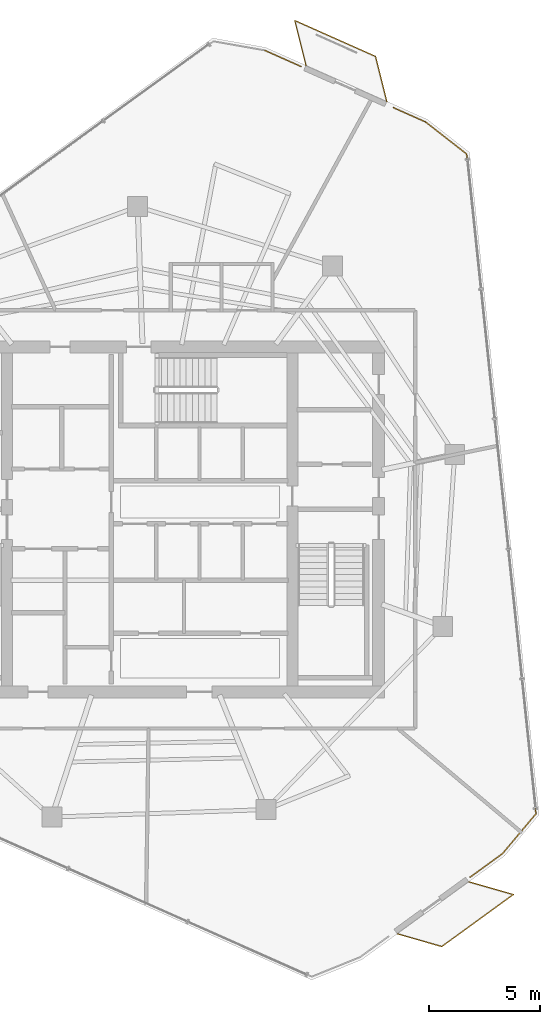
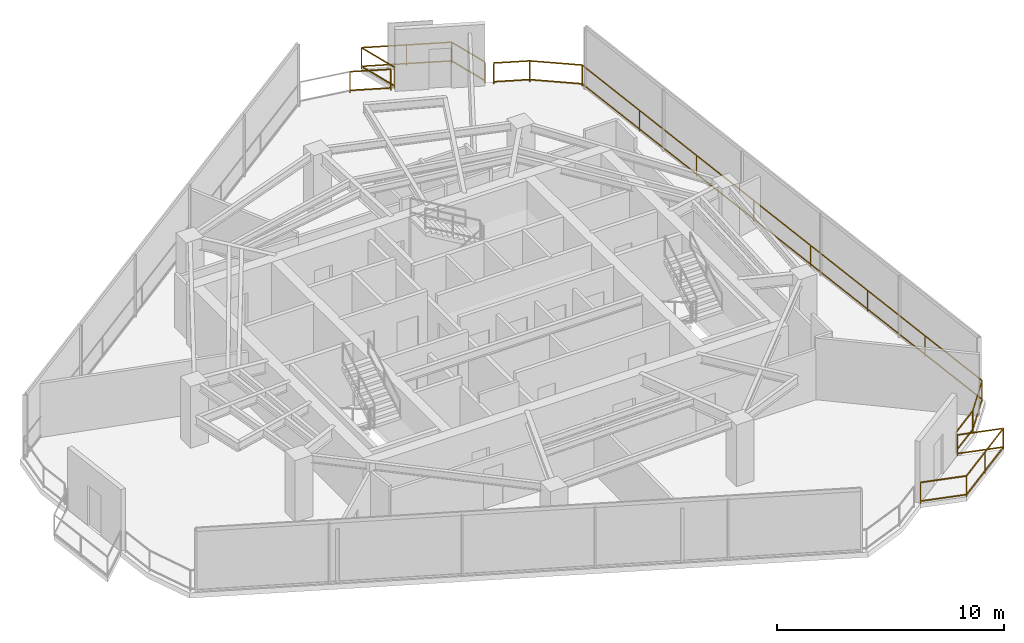
# One storey, part 20 of 20: 4 railings.
"""IFC4 building model written with IfcOpenShell, lengths in metres."""

import ifcopenshell
import ifcopenshell.guid

model = None  # the IFC model being written
_history = None  # IfcOwnerHistory: only IFC2X3 demands one
_inside = {}  # id of a spatial element -> (the spatial element, [elements in it])
_under = {}  # id of a project, library or spatial element -> (it, [spatial elements below it])
_declared = {}  # id of a project -> (the project, [libraries it declares])
_typed = {}  # id of a type object -> (the type object, [elements of that type])
_made_of = {}  # id of a material, layer set ... -> (it, [elements and type objects made of it])


def new_model(schema):
    """Start an empty IFC model of exactly this schema.

    Asked for "IFC4X3", IfcOpenShell would pick the latest addendum, in which some entities
    have other attributes; the version numbers below select the first issue.
    IFC2X3 requires an IfcOwnerHistory on every rooted entity: one is made here for all.
    """
    global model, _history
    if schema == "IFC4X3":
        model = ifcopenshell.file(schema_version=(4, 3, 0, 0))
    else:
        model = ifcopenshell.file(schema=schema)
    _inside.clear()
    _under.clear()
    _declared.clear()
    _typed.clear()
    _made_of.clear()
    _history = None
    if model.schema == "IFC2X3":
        org = make("IfcOrganization", Name="unknown")
        user = make(
            "IfcPersonAndOrganization",
            ThePerson=make("IfcPerson", FamilyName="unknown"),
            TheOrganization=org,
        )
        app = make(
            "IfcApplication",
            ApplicationDeveloper=org,
            Version="unknown",
            ApplicationFullName="unknown",
            ApplicationIdentifier="unknown",
        )
        _history = make(
            "IfcOwnerHistory",
            OwningUser=user,
            OwningApplication=app,
            ChangeAction="ADDED",
            CreationDate=0,
        )
    return model


def make(cls, **values):
    """One entity of the class cls with the attributes given. An attribute that is None is left unset."""
    return model.create_entity(
        cls, **{name: value for name, value in values.items() if value is not None}
    )


def rooted(cls, **values):
    """An entity with a GlobalId (a new one), such as an element, a storey or a relation."""
    return make(cls, GlobalId=ifcopenshell.guid.new(), OwnerHistory=_history, **values)


def si_unit(unit_type, name, prefix=None):
    """IfcSIUnit, for example si_unit("LENGTHUNIT", "METRE", prefix="MILLI")."""
    return make("IfcSIUnit", UnitType=unit_type, Prefix=prefix, Name=name)


def assignment(units):
    """IfcUnitAssignment: the units of a project."""
    return None if units is None else make("IfcUnitAssignment", Units=units)


def point(xyz):
    """IfcCartesianPoint."""
    return None if xyz is None else make("IfcCartesianPoint", Coordinates=xyz)


def direction(xyz):
    """IfcDirection."""
    return None if xyz is None else make("IfcDirection", DirectionRatios=xyz)


def frame(location, z_axis=None, x_axis=None):
    """IfcAxis2Placement3D, a coordinate frame: its origin and axes. An axis left out is left unset."""
    return make(
        "IfcAxis2Placement3D",
        Location=point(location),
        Axis=direction(z_axis),
        RefDirection=direction(x_axis),
    )


def frame_2d(location, x_axis=None):
    """IfcAxis2Placement2D, a coordinate frame in the plane: its origin and x axis."""
    return make(
        "IfcAxis2Placement2D", Location=point(location), RefDirection=direction(x_axis)
    )


def origin():
    """The frame at (0, 0, 0) with its axes left unset."""
    return frame((0.0, 0.0, 0.0))


def origin_2d():
    """The frame at (0, 0) in the plane with its x axis left unset."""
    return frame_2d((0.0, 0.0))


def place(relative_to, where):
    """IfcLocalPlacement: puts the frame where relative to a parent placement (None: the world)."""
    return make(
        "IfcLocalPlacement", PlacementRelTo=relative_to, RelativePlacement=where
    )


def context(
    kind, dimensions, precision=None, world=None, true_north=None, identifier=None
):
    """IfcGeometricRepresentationContext, for example the 3D "Model" context."""
    return make(
        "IfcGeometricRepresentationContext",
        ContextIdentifier=identifier,
        ContextType=kind,
        CoordinateSpaceDimension=dimensions,
        Precision=precision,
        WorldCoordinateSystem=world,
        TrueNorth=true_north,
    )


def subcontext(parent, identifier, kind, view, scale=None):
    """IfcGeometricRepresentationSubContext, for example "Body" below "Model"."""
    return make(
        "IfcGeometricRepresentationSubContext",
        ContextIdentifier=identifier,
        ContextType=kind,
        ParentContext=parent,
        TargetScale=scale,
        TargetView=view,
    )


def project(units=None, contexts=None):
    """IfcProject with its units and contexts."""
    return rooted(
        "IfcProject",
        Name="project",
        RepresentationContexts=contexts,
        UnitsInContext=assignment(units),
    )


def spatial(cls, under=None, at=None, **own):
    """A site, building, storey or space (cls), placed at a placement, below another one or the project."""
    s = rooted(cls, ObjectPlacement=at, **own)
    if under is not None:
        _under.setdefault(under.id(), (under, []))[1].append(s)
    return s


def profile(cls, at=None, kind="AREA", **sizes):
    """A parametric profile (cls). Its sizes go by their IFC names, for example OverallWidth=200.0."""
    return make(cls, ProfileType=kind, Position=at, **sizes)


def rectangle(**sizes):
    """IfcRectangleProfileDef."""
    return profile("IfcRectangleProfileDef", **sizes)


def extrude(swept, where, along, depth):
    """IfcExtrudedAreaSolid: the profile swept, set in the frame where, extruded along a direction by depth."""
    return make(
        "IfcExtrudedAreaSolid",
        SweptArea=swept,
        Position=where,
        ExtrudedDirection=direction(along),
        Depth=depth,
    )


def shape(context_of_items, identifier, shape_type, items):
    """IfcShapeRepresentation: the items that make up one representation, for example the "Body"."""
    return make(
        "IfcShapeRepresentation",
        ContextOfItems=context_of_items,
        RepresentationIdentifier=identifier,
        RepresentationType=shape_type,
        Items=items,
    )


def material(Name=None, Category=None):
    """IfcMaterial."""
    return make("IfcMaterial", Name=Name, Category=Category)


def made_of(thing, what):
    """Note that an element or type object is made of a material, layer set ...; save() writes the relation."""
    if what is not None:
        _made_of.setdefault(what.id(), (what, []))[1].append(thing)
    return thing


def type_object(cls, material=None, **own):
    """A type object (cls), such as IfcWallType, which elements share."""
    return made_of(rooted(cls, **own), material)


def element(
    cls,
    number,
    at=None,
    inside=None,
    cuts=None,
    type_object=None,
    material=None,
    context=None,
    identifier="Body",
    shape_type=None,
    held_by="IfcProductDefinitionShape",
    body=None,
    shapes=None,
    **own,
):
    """One element of the class cls, such as IfcWall. Its Tag is "e" and its number.

    at: its placement. inside: the storey or other place that contains it. cuts: it is an
    opening in that element (IfcRelVoidsElement). A single representation is given by context,
    identifier, shape_type and body (its items); several are given by shapes. held_by: the class
    of the entity that holds the representations. save() writes the other relations.
    """
    e = rooted(cls, Tag="e%d" % number, ObjectPlacement=at, **own)
    if body is not None:
        shapes = [shape(context, identifier, shape_type, body)]
    if shapes is not None:
        e.Representation = make(held_by, Representations=shapes)
    if inside is not None:
        _inside.setdefault(inside.id(), (inside, []))[1].append(e)
    if cuts is not None:
        rooted(
            "IfcRelVoidsElement", RelatingBuildingElement=cuts, RelatedOpeningElement=e
        )
    if type_object is not None:
        _typed.setdefault(type_object.id(), (type_object, []))[1].append(e)
    return made_of(e, material)


def aggregate(whole, parts):
    """IfcRelAggregates: a whole, such as a stair, and the parts it consists of."""
    return rooted("IfcRelAggregates", RelatingObject=whole, RelatedObjects=parts)


def save(model, path):
    """Write the relations noted so far, then the file.

    IfcRelAggregates (storeys below a building ...), IfcRelContainedInSpatialStructure (elements
    in a storey), IfcRelDefinesByType, IfcRelAssociatesMaterial and IfcRelDeclares: one each for
    every whole, place, type object, material and project.
    """
    for whole, parts in _under.values():
        aggregate(whole, parts)
    for where, things in _inside.values():
        rooted(
            "IfcRelContainedInSpatialStructure",
            RelatedElements=things,
            RelatingStructure=where,
        )
    for kind, things in _typed.values():
        rooted("IfcRelDefinesByType", RelatedObjects=things, RelatingType=kind)
    for what, things in _made_of.values():
        rooted("IfcRelAssociatesMaterial", RelatedObjects=things, RelatingMaterial=what)
    for by, libraries in _declared.values():
        rooted("IfcRelDeclares", RelatingContext=by, RelatedDefinitions=libraries)
    model.write(path)


model = new_model("IFC4")

# Units and contexts
model_context = context("Model", 3, precision=1e-05, world=origin(), true_north=direction((0.0, 1.0)))
body_context = subcontext(model_context, "Body", "Model", "MODEL_VIEW")
ifc_project = project(units=[si_unit("LENGTHUNIT", "METRE"), si_unit("AREAUNIT", "SQUARE_METRE"), si_unit("VOLUMEUNIT", "CUBIC_METRE"), si_unit("PLANEANGLEUNIT", "RADIAN"), si_unit("MASSUNIT", "GRAM", prefix="KILO")], contexts=[model_context])

# Site, building, storey
site_placement = place(None, origin())
site = spatial("IfcSite", under=ifc_project, at=site_placement, CompositionType="ELEMENT")
building_placement = place(site_placement, origin())
building = spatial("IfcBuilding", under=site, at=building_placement, Name="Qarnah Convention Tower", CompositionType="ELEMENT")
storey_placement = place(building_placement, frame((0.0, 0.0, 202.199951171875)))
storey = spatial("IfcBuildingStorey", under=building, at=storey_placement, Name="L54", CompositionType="ELEMENT", Elevation=202.199951171875)

# Railings
ifc_material = material(Name="Black anodised aluminium", Category="aluminium")
railing_type = type_object("IfcRailingType", Name="RL-EXT-GUARD-1150", PredefinedType="GUARDRAIL", material=ifc_material)
railing_1_placement = place(storey_placement, frame((42.449951171875, 47.60595703125, 0.0)))
element("IfcRailing", 1, at=railing_1_placement, inside=storey, type_object=railing_type, Name="L54 slab-edge perimeter safety guard 01", PredefinedType="GUARDRAIL", context=body_context, shape_type="SweptSolid", body=[
    extrude(rectangle(XDim=0.048095703125, YDim=0.048095703125, at=origin_2d()), frame((0.0, 0.0, 1.1259765625), z_axis=(0.913689013524, -0.406414058032, 0.0), x_axis=(0.406414058032, 0.913689013524, 0.0)), (0.0, 0.0, 1.0), 1.80810546875),
    extrude(rectangle(XDim=0.048095703125, YDim=0.048095703125, at=origin_2d()), frame((0.0, 0.0, 0.1201171875), z_axis=(0.913689013524, -0.406414058032, 0.0), x_axis=(0.406414058032, 0.913689013524, 0.0)), (0.0, 0.0, 1.0), 1.80810546875),
    extrude(rectangle(XDim=0.0419921875, YDim=0.0419921875, at=origin_2d()), origin(), (0.0, 0.0, 1.0), 1.101806640625),
    extrude(rectangle(XDim=0.0419921875, YDim=0.0419921875, at=origin_2d()), frame((1.652099609375, -0.73486328125, 0.0)), (0.0, 0.0, 1.0), 1.101806640625),
])
railing_2_placement = place(storey_placement, frame((48.26611328125, 45.01708984375, 0.0)))
element("IfcRailing", 2, at=railing_2_placement, inside=storey, type_object=railing_type, Name="L54 slab-edge perimeter safety guard 02", PredefinedType="GUARDRAIL", context=body_context, shape_type="SweptSolid", body=[
    extrude(rectangle(XDim=0.048095703125, YDim=0.048095703125, at=origin_2d()), frame((0.0, 0.0, 1.1259765625), z_axis=(0.913312648103, -0.407259139634, 0.0), x_axis=(0.407259139634, 0.913312648103, 0.0)), (0.0, 0.0, 1.0), 1.596435546875),
    extrude(rectangle(XDim=0.048095703125, YDim=0.048095703125, at=origin_2d()), frame((0.0, 0.0, 0.1201171875), z_axis=(0.913312648103, -0.407259139634, 0.0), x_axis=(0.407259139634, 0.913312648103, 0.0)), (0.0, 0.0, 1.0), 1.596435546875),
    extrude(rectangle(XDim=0.048095703125, YDim=0.048095703125, at=origin_2d()), frame((1.4580078125, -0.650146484375, 1.1259765625), z_axis=(0.788277709576, -0.615319634487, 0.0), x_axis=(0.615319634487, 0.788277709576, 0.0)), (0.0, 0.0, 1.0), 2.3515625),
    extrude(rectangle(XDim=0.048095703125, YDim=0.048095703125, at=origin_2d()), frame((1.4580078125, -0.650146484375, 0.1201171875), z_axis=(0.788277709576, -0.615319634487, 0.0), x_axis=(0.615319634487, 0.788277709576, 0.0)), (0.0, 0.0, 1.0), 2.3515625),
    extrude(rectangle(XDim=0.048095703125, YDim=0.048095703125, at=origin_2d()), frame((3.311767578125, -2.09716796875, 1.1259765625), z_axis=(0.10452757809, -0.994521988404, 0.0), x_axis=(0.994521988404, 0.10452757809, 0.0)), (0.0, 0.0, 1.0), 29.9921875),
    extrude(rectangle(XDim=0.048095703125, YDim=0.048095703125, at=origin_2d()), frame((3.311767578125, -2.09716796875, 0.1201171875), z_axis=(0.10452757809, -0.994521988404, 0.0), x_axis=(0.994521988404, 0.10452757809, 0.0)), (0.0, 0.0, 1.0), 29.9921875),
    extrude(rectangle(XDim=0.048095703125, YDim=0.048095703125, at=origin_2d()), frame((6.44677734375, -31.925048828125, 1.1259765625), z_axis=(-0.642968053263, -0.765892996758, 0.0), x_axis=(0.765892996758, -0.642968053263, 0.0)), (0.0, 0.0, 1.0), 2.3515625),
    extrude(rectangle(XDim=0.048095703125, YDim=0.048095703125, at=origin_2d()), frame((6.44677734375, -31.925048828125, 0.1201171875), z_axis=(-0.642968053263, -0.765892996758, 0.0), x_axis=(0.765892996758, -0.642968053263, 0.0)), (0.0, 0.0, 1.0), 2.3515625),
    extrude(rectangle(XDim=0.048095703125, YDim=0.048095703125, at=origin_2d()), frame((4.934814453125, -33.72607421875, 1.1259765625), z_axis=(-0.808981221768, -0.587834485911, 0.0), x_axis=(0.587834485911, -0.808981221768, 0.0)), (0.0, 0.0, 1.0), 1.808349609375),
    extrude(rectangle(XDim=0.048095703125, YDim=0.048095703125, at=origin_2d()), frame((4.934814453125, -33.72607421875, 0.1201171875), z_axis=(-0.808981221768, -0.587834485911, 0.0), x_axis=(0.587834485911, -0.808981221768, 0.0)), (0.0, 0.0, 1.0), 1.808349609375),
    extrude(rectangle(XDim=0.0419921875, YDim=0.0419921875, at=origin_2d()), origin(), (0.0, 0.0, 1.0), 1.101806640625),
    extrude(rectangle(XDim=0.0419921875, YDim=0.0419921875, at=origin_2d()), frame((1.4580078125, -0.650146484375, 0.0)), (0.0, 0.0, 1.0), 1.101806640625),
    extrude(rectangle(XDim=0.0419921875, YDim=0.0419921875, at=origin_2d()), frame((3.311767578125, -2.09716796875, 0.0)), (0.0, 0.0, 1.0), 1.101806640625),
    extrude(rectangle(XDim=0.0419921875, YDim=0.0419921875, at=origin_2d()), frame((3.759521484375, -6.3583984375, 0.0)), (0.0, 0.0, 1.0), 1.101806640625),
    extrude(rectangle(XDim=0.0419921875, YDim=0.0419921875, at=origin_2d()), frame((4.20751953125, -10.619384765625, 0.0)), (0.0, 0.0, 1.0), 1.101806640625),
    extrude(rectangle(XDim=0.0419921875, YDim=0.0419921875, at=origin_2d()), frame((4.6552734375, -14.880615234375, 0.0)), (0.0, 0.0, 1.0), 1.101806640625),
    extrude(rectangle(XDim=0.0419921875, YDim=0.0419921875, at=origin_2d()), frame((5.103271484375, -19.1416015625, 0.0)), (0.0, 0.0, 1.0), 1.101806640625),
    extrude(rectangle(XDim=0.0419921875, YDim=0.0419921875, at=origin_2d()), frame((5.551025390625, -23.40283203125, 0.0)), (0.0, 0.0, 1.0), 1.101806640625),
    extrude(rectangle(XDim=0.0419921875, YDim=0.0419921875, at=origin_2d()), frame((5.9990234375, -27.663818359375, 0.0)), (0.0, 0.0, 1.0), 1.101806640625),
    extrude(rectangle(XDim=0.0419921875, YDim=0.0419921875, at=origin_2d()), frame((6.44677734375, -31.925048828125, 0.0)), (0.0, 0.0, 1.0), 1.101806640625),
    extrude(rectangle(XDim=0.0419921875, YDim=0.0419921875, at=origin_2d()), frame((4.934814453125, -33.72607421875, 0.0)), (0.0, 0.0, 1.0), 1.101806640625),
    extrude(rectangle(XDim=0.0419921875, YDim=0.0419921875, at=origin_2d()), frame((3.471923828125, -34.7890625, 0.0)), (0.0, 0.0, 1.0), 1.101806640625),
])
railing_3_placement = place(storey_placement, frame((44.31494140625, 46.924072265625, 0.0)))
element("IfcRailing", 3, at=railing_3_placement, inside=storey, type_object=railing_type, Name="L54 balcony safety guard BAL-L54-C1", PredefinedType="GUARDRAIL", context=body_context, shape_type="SweptSolid", body=[
    extrude(rectangle(XDim=0.048095703125, YDim=0.048095703125, at=origin_2d()), frame((0.0, 0.0, 1.1259765625), z_axis=(-0.242014421049, 0.970272652405, 0.0), x_axis=(-0.970272652405, -0.242014421049, 0.0)), (0.0, 0.0, 1.0), 2.09423828125),
    extrude(rectangle(XDim=0.048095703125, YDim=0.048095703125, at=origin_2d()), frame((0.0, 0.0, 0.1201171875), z_axis=(-0.242014421049, 0.970272652405, 0.0), x_axis=(-0.970272652405, -0.242014421049, 0.0)), (0.0, 0.0, 1.0), 2.09423828125),
    extrude(rectangle(XDim=0.048095703125, YDim=0.048095703125, at=origin_2d()), frame((-0.5068359375, 2.031982421875, 1.1259765625), z_axis=(0.913569796686, -0.406681972286, 0.0), x_axis=(0.406681972286, 0.913569796686, 0.0)), (0.0, 0.0, 1.0), 4.00048828125),
    extrude(rectangle(XDim=0.048095703125, YDim=0.048095703125, at=origin_2d()), frame((-0.5068359375, 2.031982421875, 0.1201171875), z_axis=(0.913569796686, -0.406681972286, 0.0), x_axis=(0.406681972286, 0.913569796686, 0.0)), (0.0, 0.0, 1.0), 4.00048828125),
    extrude(rectangle(XDim=0.048095703125, YDim=0.048095703125, at=origin_2d()), frame((3.14794921875, 0.405029296875, 1.1259765625), z_axis=(0.241685131575, -0.970354727497, 0.0), x_axis=(0.970354727497, 0.241685131575, 0.0)), (0.0, 0.0, 1.0), 2.093994140625),
    extrude(rectangle(XDim=0.048095703125, YDim=0.048095703125, at=origin_2d()), frame((3.14794921875, 0.405029296875, 0.1201171875), z_axis=(0.241685131575, -0.970354727497, 0.0), x_axis=(0.970354727497, 0.241685131575, 0.0)), (0.0, 0.0, 1.0), 2.093994140625),
    extrude(rectangle(XDim=0.0419921875, YDim=0.0419921875, at=origin_2d()), origin(), (0.0, 0.0, 1.0), 1.101806640625),
    extrude(rectangle(XDim=0.0419921875, YDim=0.0419921875, at=origin_2d()), frame((-0.5068359375, 2.031982421875, 0.0)), (0.0, 0.0, 1.0), 1.101806640625),
    extrude(rectangle(XDim=0.0419921875, YDim=0.0419921875, at=origin_2d()), frame((1.320556640625, 1.218505859375, 0.0)), (0.0, 0.0, 1.0), 1.101806640625),
    extrude(rectangle(XDim=0.0419921875, YDim=0.0419921875, at=origin_2d()), frame((3.14794921875, 0.405029296875, 0.0)), (0.0, 0.0, 1.0), 1.101806640625),
    extrude(rectangle(XDim=0.0419921875, YDim=0.0419921875, at=origin_2d()), frame((3.654052734375, -1.626953125, 0.0)), (0.0, 0.0, 1.0), 1.101806640625),
])
railing_4_placement = place(storey_placement, frame((51.677001953125, 10.01708984375, 0.0)))
element("IfcRailing", 4, at=railing_4_placement, inside=storey, type_object=railing_type, Name="L54 balcony safety guard BAL-L54-C3", PredefinedType="GUARDRAIL", context=body_context, shape_type="SweptSolid", body=[
    extrude(rectangle(XDim=0.048095703125, YDim=0.048095703125, at=origin_2d()), frame((0.0, 0.0, 1.1259765625), z_axis=(0.961268359045, -0.275614117742, 0.0), x_axis=(0.275614117742, 0.961268359045, 0.0)), (0.0, 0.0, 1.0), 2.093994140625),
    extrude(rectangle(XDim=0.048095703125, YDim=0.048095703125, at=origin_2d()), frame((0.0, 0.0, 0.1201171875), z_axis=(0.961268359045, -0.275614117742, 0.0), x_axis=(0.275614117742, 0.961268359045, 0.0)), (0.0, 0.0, 1.0), 2.093994140625),
    extrude(rectangle(XDim=0.048095703125, YDim=0.048095703125, at=origin_2d()), frame((2.012939453125, -0.5771484375, 1.1259765625), z_axis=(-0.808889126282, -0.587961207379, 0.0), x_axis=(0.587961207379, -0.808889126282, 0.0)), (0.0, 0.0, 1.0), 4.000244140625),
    extrude(rectangle(XDim=0.048095703125, YDim=0.048095703125, at=origin_2d()), frame((2.012939453125, -0.5771484375, 0.1201171875), z_axis=(-0.808889126282, -0.587961207379, 0.0), x_axis=(0.587961207379, -0.808889126282, 0.0)), (0.0, 0.0, 1.0), 4.000244140625),
    extrude(rectangle(XDim=0.048095703125, YDim=0.048095703125, at=origin_2d()), frame((-1.222900390625, -2.92919921875, 1.1259765625), z_axis=(-0.961153604908, 0.276014035462, 0.0), x_axis=(-0.276014035462, -0.961153604908, 0.0)), (0.0, 0.0, 1.0), 2.094482421875),
    extrude(rectangle(XDim=0.048095703125, YDim=0.048095703125, at=origin_2d()), frame((-1.222900390625, -2.92919921875, 0.1201171875), z_axis=(-0.961153604908, 0.276014035462, 0.0), x_axis=(-0.276014035462, -0.961153604908, 0.0)), (0.0, 0.0, 1.0), 2.094482421875),
    extrude(rectangle(XDim=0.0419921875, YDim=0.0419921875, at=origin_2d()), origin(), (0.0, 0.0, 1.0), 1.101806640625),
    extrude(rectangle(XDim=0.0419921875, YDim=0.0419921875, at=origin_2d()), frame((2.012939453125, -0.5771484375, 0.0)), (0.0, 0.0, 1.0), 1.101806640625),
    extrude(rectangle(XDim=0.0419921875, YDim=0.0419921875, at=origin_2d()), frame((0.39501953125, -1.753173828125, 0.0)), (0.0, 0.0, 1.0), 1.101806640625),
    extrude(rectangle(XDim=0.0419921875, YDim=0.0419921875, at=origin_2d()), frame((-1.222900390625, -2.92919921875, 0.0)), (0.0, 0.0, 1.0), 1.101806640625),
    extrude(rectangle(XDim=0.0419921875, YDim=0.0419921875, at=origin_2d()), frame((-3.236083984375, -2.35107421875, 0.0)), (0.0, 0.0, 1.0), 1.101806640625),
])

save(model, "model.ifc")
